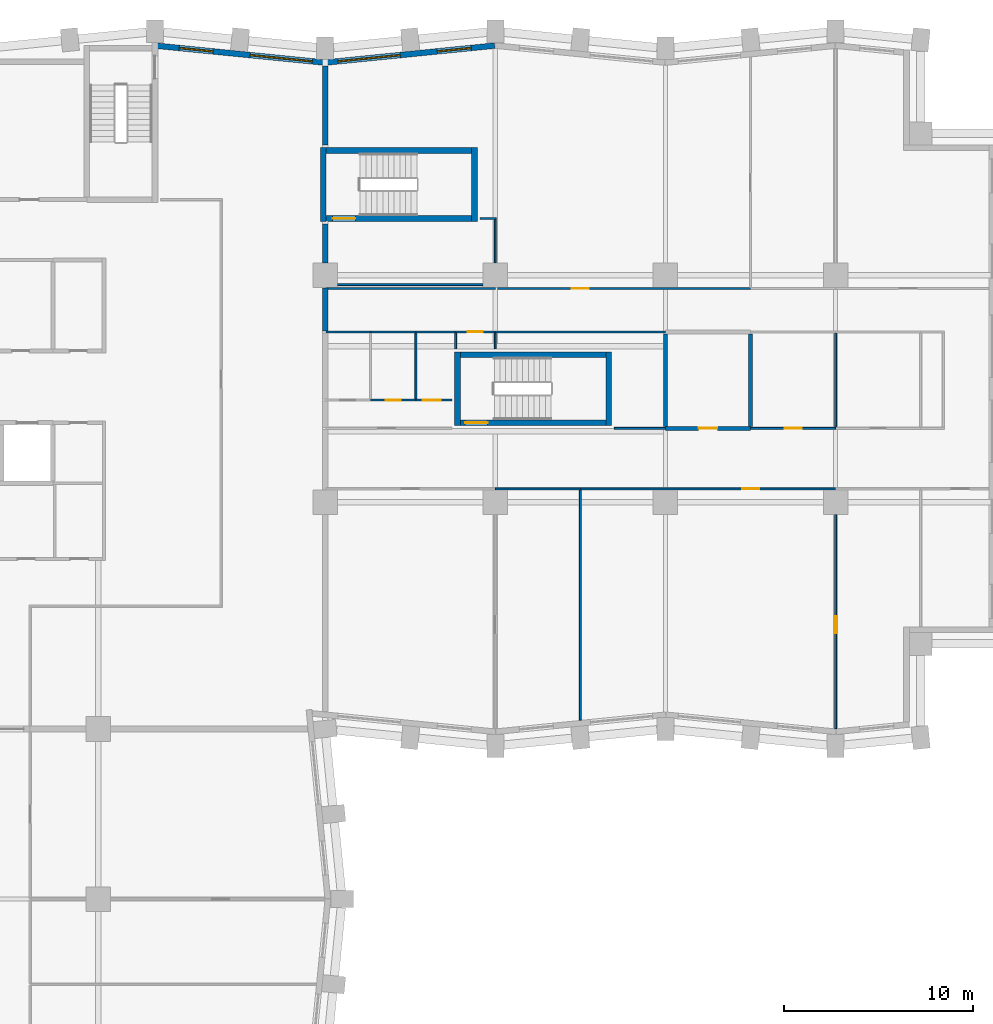
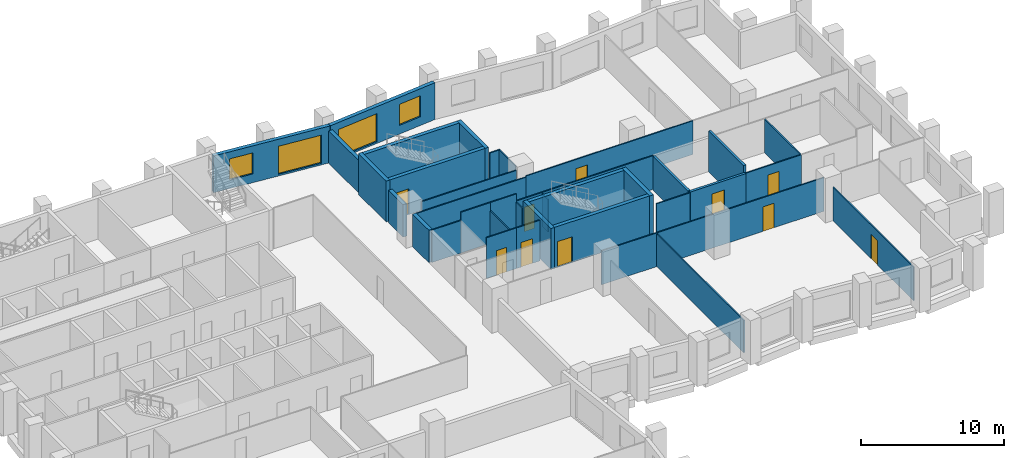
# One storey, part 7 of 11: 38 walls, 10 doors, 4 windows, 14 openings.
"""IFC4 building model written with IfcOpenShell, lengths in metres."""

from ifc_helpers import new_model, si_unit, direction, frame, frame_2d, origin, place, context, subcontext, project, spatial, rectangle, extrude, material, layer, layer_set, type_object, element, fill, save


model = new_model("IFC4")

# Units and contexts
model_context = context("Model", 3, precision=1e-05, world=origin(), true_north=direction((0.0, 1.0)))
body_context = subcontext(model_context, "Body", "Model", "MODEL_VIEW")
ifc_project = project(units=[si_unit("LENGTHUNIT", "METRE"), si_unit("AREAUNIT", "SQUARE_METRE"), si_unit("VOLUMEUNIT", "CUBIC_METRE"), si_unit("PLANEANGLEUNIT", "RADIAN"), si_unit("MASSUNIT", "GRAM", prefix="KILO")], contexts=[model_context])

# Site, building, storey
site_placement = place(None, origin())
site = spatial("IfcSite", under=ifc_project, at=site_placement, CompositionType="ELEMENT")
building_placement = place(site_placement, origin())
building = spatial("IfcBuilding", under=site, at=building_placement, Name="Brondeck Convention Tower", CompositionType="ELEMENT")
storey_placement = place(building_placement, frame((0.0, 0.0, 92.300048828125)))
storey = spatial("IfcBuildingStorey", under=building, at=storey_placement, Name="L21", CompositionType="ELEMENT", Elevation=92.300048828125)

# Walls
ifc_material_1 = material(Name="Concrete compartment wall C30/37", Category="concrete")
ifc_layer_1 = layer(ifc_material_1, 0.300048828125)
ifc_layer_set_1 = layer_set([ifc_layer_1], Name="Compartment wall 300")
wall_type_1 = type_object("IfcWallType", Name="Compartment wall 300", PredefinedType="PARTITIONING", material=ifc_layer_set_1)
wall_1_placement = place(storey_placement, frame((36.0, 48.050048828125, 0.0), z_axis=(0.0, 0.0, 1.0), x_axis=(0.0, 1.0, 0.0)))
element("IfcWall", 1, at=wall_1_placement, inside=storey, type_object=wall_type_1, Name="FLR-L21-W068", PredefinedType="PARTITIONING", context=body_context, shape_type="SweptSolid", body=[
    extrude(rectangle(XDim=2.280029296875, YDim=0.300048828125, at=frame_2d((1.14013671875, 0.0))), origin(), (0.0, 0.0, 1.0), 2.780029296875),
])
wall_2_placement = place(storey_placement, frame((36.0, 51.655029296875, 0.0), z_axis=(0.0, 0.0, 1.0), x_axis=(0.0, 1.0, 0.0)))
element("IfcWall", 2, at=wall_2_placement, inside=storey, type_object=wall_type_1, Name="FLR-L21-W074", PredefinedType="PARTITIONING", context=body_context, shape_type="SweptSolid", body=[
    extrude(rectangle(XDim=2.044921875, YDim=0.300048828125, at=frame_2d((1.0224609375, 0.0))), origin(), (0.0, 0.0, 1.0), 2.780029296875),
])
wall_3_placement = place(storey_placement, frame((36.0, 57.89990234375, 0.0), z_axis=(0.0, 0.0, 1.0), x_axis=(0.0, 1.0, 0.0)))
element("IfcWall", 3, at=wall_3_placement, inside=storey, type_object=wall_type_1, Name="FLR-L21-W079", PredefinedType="PARTITIONING", context=body_context, shape_type="SweptSolid", body=[
    extrude(rectangle(XDim=4.175537109375, YDim=0.300048828125, at=frame_2d((2.087890625, 0.0))), origin(), (0.0, 0.0, 1.0), 2.780029296875),
])

# Wall, openings, windows
ifc_material_2 = material(Name="Precast concrete C50/60 bronze finish", Category="concrete")
ifc_layer_2 = layer(ifc_material_2, 0.070068359375, Name="Bronze precast facing")
ifc_material_3 = material(Name="Mineral wool")
ifc_layer_3 = layer(ifc_material_3, 0.159912109375, Name="Insulation")
ifc_material_4 = material(Name="Concrete C35/45", Category="concrete")
ifc_layer_4 = layer(ifc_material_4, 0.070068359375, Name="Backing")
ifc_layer_set_2 = layer_set([ifc_layer_2, ifc_layer_3, ifc_layer_4], Name="External infill wall, precast concrete C50/60 bronze facing")
wall_type_2 = type_object("IfcWallType", Name="External infill wall, precast concrete C50/60 bronze facing", PredefinedType="SOLIDWALL", material=ifc_layer_set_2)
wall_4_placement = place(storey_placement, frame((35.985107421875, 62.244873046875, 0.0), z_axis=(0.0, 0.0, 1.0), x_axis=(0.995037993253, 0.099495688264, 0.0)))
wall_4 = element("IfcWall", 4, at=wall_4_placement, inside=storey, type_object=wall_type_2, Name="ENV-EW-L21-P0-A-N-09", PredefinedType="SOLIDWALL", context=body_context, shape_type="SweptSolid", body=[
    extrude(rectangle(XDim=9.030029296875, YDim=0.300048828125, at=frame_2d((4.51513671875, 0.0))), origin(), (0.0, 0.0, 1.0), 3.14990234375),
])
opening_1_placement = place(wall_4_placement, frame((0.701171875, 0.0, 0.14990234375)))
opening_1 = element("IfcOpeningElement", 5, at=opening_1_placement, cuts=wall_4, Name="Opening W9", PredefinedType="OPENING", context=body_context, shape_type="SweptSolid", body=[
    extrude(rectangle(XDim=3.300048828125, YDim=2.39990234375, at=frame_2d((1.64990234375, 1.199951171875))), frame((0.0, 0.159912109375, 0.0), z_axis=(0.0, -1.0, 0.0), x_axis=(1.0, 0.0, 0.0)), (0.0, 0.0, 1.0), 0.320068359375),
])
opening_2_placement = place(wall_4_placement, frame((5.9736328125, 0.0, 0.75)))
opening_2 = element("IfcOpeningElement", 6, at=opening_2_placement, cuts=wall_4, Name="Opening W10", PredefinedType="OPENING", context=body_context, shape_type="SweptSolid", body=[
    extrude(rectangle(XDim=1.800048828125, YDim=1.800048828125, at=frame_2d((0.89990234375, 0.89990234375))), frame((0.0, 0.159912109375, 0.0), z_axis=(0.0, -1.0, 0.0), x_axis=(1.0, 0.0, 0.0)), (0.0, 0.0, 1.0), 0.320068359375),
])
ifc_material_5 = material(Name="Bronze tinted double glazing", Category="glass")
window_type_1 = type_object("IfcWindowType", Name="Glazed flute window, bronze tinted", PartitioningType="SINGLE_PANEL", PredefinedType="WINDOW", material=ifc_material_5)
window_1_placement = place(opening_1_placement, origin())
window_1 = element("IfcWindow", 7, at=window_1_placement, inside=storey, type_object=window_type_1, Name="ENV-WN-L21-P0-A-N-08", OverallHeight=2.39990234375, OverallWidth=3.300048828125, PartitioningType="SINGLE_PANEL", PredefinedType="WINDOW", context=body_context, shape_type="SweptSolid", body=[
    extrude(rectangle(XDim=3.300048828125, YDim=2.39990234375, at=frame_2d((1.64990234375, 1.199951171875))), frame((0.0, 0.030029296875, 0.0), z_axis=(0.0, -1.0, 0.0), x_axis=(1.0, 0.0, 0.0)), (0.0, 0.0, 1.0), 0.06005859375),
])
fill(opening_1, window_1)
window_type_2 = type_object("IfcWindowType", Name="Punched window, bronze tinted", PartitioningType="SINGLE_PANEL", PredefinedType="WINDOW", material=ifc_material_5)
window_2_placement = place(opening_2_placement, origin())
window_2 = element("IfcWindow", 8, at=window_2_placement, inside=storey, type_object=window_type_2, Name="ENV-WN-L21-P0-A-N-09", OverallHeight=1.800048828125, OverallWidth=1.800048828125, PartitioningType="SINGLE_PANEL", PredefinedType="WINDOW", context=body_context, shape_type="SweptSolid", body=[
    extrude(rectangle(XDim=1.800048828125, YDim=1.800048828125, at=frame_2d((0.89990234375, 0.89990234375))), frame((0.0, 0.030029296875, 0.0), z_axis=(0.0, -1.0, 0.0), x_axis=(1.0, 0.0, 0.0)), (0.0, 0.0, 1.0), 0.06005859375),
])
fill(opening_2, window_2)

wall_5_placement = place(storey_placement, frame((27.07470703125, 63.138916015625, 0.0), z_axis=(0.0, 0.0, 1.0), x_axis=(0.995036108601, -0.099514534519, 0.0)))
wall_5 = element("IfcWall", 9, at=wall_5_placement, inside=storey, type_object=wall_type_2, Name="ENV-EW-L21-P0-A-N-07", PredefinedType="SOLIDWALL", context=body_context, shape_type="SweptSolid", body=[
    extrude(rectangle(XDim=8.93994140625, YDim=0.300048828125, at=frame_2d((4.469970703125, 0.0))), origin(), (0.0, 0.0, 1.0), 3.14990234375),
])
opening_3_placement = place(wall_5_placement, frame((1.211181640625, 0.0, 0.75)))
opening_3 = element("IfcOpeningElement", 10, at=opening_3_placement, cuts=wall_5, Name="Opening W10", PredefinedType="OPENING", context=body_context, shape_type="SweptSolid", body=[
    extrude(rectangle(XDim=1.800048828125, YDim=1.800048828125, at=frame_2d((0.89990234375, 0.89990234375))), frame((0.0, 0.159912109375, 0.0), z_axis=(0.0, -1.0, 0.0), x_axis=(1.0, 0.0, 0.0)), (0.0, 0.0, 1.0), 0.320068359375),
])
opening_4_placement = place(wall_5_placement, frame((4.983642578125, 0.0, 0.14990234375)))
opening_4 = element("IfcOpeningElement", 11, at=opening_4_placement, cuts=wall_5, Name="Opening W9", PredefinedType="OPENING", context=body_context, shape_type="SweptSolid", body=[
    extrude(rectangle(XDim=3.300048828125, YDim=2.39990234375, at=frame_2d((1.64990234375, 1.199951171875))), frame((0.0, 0.159912109375, 0.0), z_axis=(0.0, -1.0, 0.0), x_axis=(1.0, 0.0, 0.0)), (0.0, 0.0, 1.0), 0.320068359375),
])
window_3_placement = place(opening_4_placement, origin())
window_3 = element("IfcWindow", 12, at=window_3_placement, inside=storey, type_object=window_type_1, Name="ENV-WN-L21-P0-A-N-07", OverallHeight=2.39990234375, OverallWidth=3.300048828125, PartitioningType="SINGLE_PANEL", PredefinedType="WINDOW", context=body_context, shape_type="SweptSolid", body=[
    extrude(rectangle(XDim=3.300048828125, YDim=2.39990234375, at=frame_2d((1.64990234375, 1.199951171875))), frame((0.0, 0.030029296875, 0.0), z_axis=(0.0, -1.0, 0.0), x_axis=(1.0, 0.0, 0.0)), (0.0, 0.0, 1.0), 0.06005859375),
])
fill(opening_4, window_3)
window_4_placement = place(opening_3_placement, origin())
window_4 = element("IfcWindow", 13, at=window_4_placement, inside=storey, type_object=window_type_2, Name="ENV-WN-L21-P0-A-N-06", OverallHeight=1.800048828125, OverallWidth=1.800048828125, PartitioningType="SINGLE_PANEL", PredefinedType="WINDOW", context=body_context, shape_type="SweptSolid", body=[
    extrude(rectangle(XDim=1.800048828125, YDim=1.800048828125, at=frame_2d((0.89990234375, 0.89990234375))), frame((0.0, 0.030029296875, 0.0), z_axis=(0.0, -1.0, 0.0), x_axis=(1.0, 0.0, 0.0)), (0.0, 0.0, 1.0), 0.06005859375),
])
fill(opening_3, window_4)

# Wall, opening, door
ifc_material_6 = material(Name="Concrete block wall C16/20", Category="concrete")
ifc_layer_5 = layer(ifc_material_6, 0.199951171875)
ifc_layer_set_3 = layer_set([ifc_layer_5], Name="Plant room wall 200")
wall_type_3 = type_object("IfcWallType", Name="Plant room wall 200", PredefinedType="PARTITIONING", material=ifc_layer_set_3)
wall_6_placement = place(storey_placement, frame((54.0, 42.89990234375, 0.0), z_axis=(0.0, 0.0, 1.0), x_axis=(1.0, 0.0, 0.0)))
wall_6 = element("IfcWall", 14, at=wall_6_placement, inside=storey, type_object=wall_type_3, Name="FLR-L21-W041", PredefinedType="PARTITIONING", context=body_context, shape_type="SweptSolid", body=[
    extrude(rectangle(XDim=4.5, YDim=0.199951171875, at=frame_2d((2.25, 0.0))), origin(), (0.0, 0.0, 1.0), 2.8798828125),
])
opening_5_placement = place(wall_6_placement, frame((1.75, 0.0, 0.0)))
opening_5 = element("IfcOpeningElement", 15, at=opening_5_placement, cuts=wall_6, Name="Opening OF-A-007", PredefinedType="OPENING", context=body_context, shape_type="SweptSolid", body=[
    extrude(rectangle(XDim=1.0, YDim=2.10009765625, at=frame_2d((0.5, 1.050048828125))), frame((0.0, 0.10986328125, 0.0), z_axis=(0.0, -1.0, 0.0), x_axis=(1.0, 0.0, 0.0)), (0.0, 0.0, 1.0), 0.219970703125),
])
ifc_material_7 = material(Name="Steel fire door leaf", Category="steel")
door_type_1 = type_object("IfcDoorType", Name="Plant room door 1000", OperationType="NOTDEFINED", PredefinedType="DOOR", material=ifc_material_7)
door_1_placement = place(opening_5_placement, origin())
door_1 = element("IfcDoor", 16, at=door_1_placement, inside=storey, type_object=door_type_1, Name="Door OF-A-007", OperationType="SINGLE_SWING_RIGHT", OverallHeight=2.10009765625, OverallWidth=1.0, PredefinedType="DOOR", context=body_context, shape_type="SweptSolid", body=[
    extrude(rectangle(XDim=1.0, YDim=2.10009765625, at=frame_2d((0.5, 1.050048828125))), frame((0.0, 0.02490234375, 0.0), z_axis=(0.0, -1.0, 0.0), x_axis=(1.0, 0.0, 0.0)), (0.0, 0.0, 1.0), 0.050048828125),
])
fill(opening_5, door_1)

# Walls
wall_7_placement = place(storey_placement, frame((54.0, 43.0, 0.0), z_axis=(0.0, 0.0, 1.0), x_axis=(0.0, 1.0, 0.0)))
element("IfcWall", 17, at=wall_7_placement, inside=storey, type_object=wall_type_3, Name="FLR-L21-W047", PredefinedType="PARTITIONING", context=body_context, shape_type="SweptSolid", body=[
    extrude(rectangle(XDim=4.89990234375, YDim=0.199951171875, at=frame_2d((2.449951171875, 0.0))), origin(), (0.0, 0.0, 1.0), 2.8798828125),
])
wall_8_placement = place(storey_placement, frame((58.5, 47.89990234375, 0.0), z_axis=(0.0, 0.0, 1.0), x_axis=(0.0, -1.0, 0.0)))
element("IfcWall", 18, at=wall_8_placement, inside=storey, type_object=wall_type_3, Name="FLR-L21-W052", PredefinedType="PARTITIONING", context=body_context, shape_type="SweptSolid", body=[
    extrude(rectangle(XDim=4.89990234375, YDim=0.199951171875, at=frame_2d((2.449951171875, 0.0))), origin(), (0.0, 0.0, 1.0), 3.47998046875),
])

# Wall, opening, door
ifc_material_8 = material(Name="Gypsum board partition on steel studs", Category="steel")
ifc_layer_6 = layer(ifc_material_8, 0.10009765625)
ifc_layer_set_4 = layer_set([ifc_layer_6], Name="Room partition 100")
wall_type_4 = type_object("IfcWallType", Name="Room partition 100", PredefinedType="PARTITIONING", material=ifc_layer_set_4)
wall_9_placement = place(storey_placement, frame((63.0, 38.344970703125, 0.0), z_axis=(0.0, 0.0, 1.0), x_axis=(0.0, -1.0, 0.0)))
wall_9 = element("IfcWall", 19, at=wall_9_placement, inside=storey, type_object=wall_type_4, Name="FLR-L21-W030", PredefinedType="PARTITIONING", context=body_context, shape_type="SweptSolid", body=[
    extrude(rectangle(XDim=11.320556640625, YDim=0.10009765625, at=frame_2d((5.66015625, 0.0))), origin(), (0.0, 0.0, 1.0), 2.8798828125),
])
opening_6_placement = place(wall_9_placement, frame((5.3701171875, 0.0, 0.0)))
opening_6 = element("IfcOpeningElement", 20, at=opening_6_placement, cuts=wall_9, Name="Opening OF-A-013", PredefinedType="OPENING", context=body_context, shape_type="SweptSolid", body=[
    extrude(rectangle(XDim=0.89990234375, YDim=2.10009765625, at=frame_2d((0.449951171875, 1.050048828125))), frame((0.0, 0.06005859375, 0.0), z_axis=(0.0, -1.0, 0.0), x_axis=(1.0, 0.0, 0.0)), (0.0, 0.0, 1.0), 0.1201171875),
])
ifc_material_9 = material(Name="Solid timber door leaf", Category="wood")
door_type_2 = type_object("IfcDoorType", Name="Single door 900", OperationType="NOTDEFINED", PredefinedType="DOOR", material=ifc_material_9)
door_2_placement = place(opening_6_placement, origin())
door_2 = element("IfcDoor", 21, at=door_2_placement, inside=storey, type_object=door_type_2, Name="Door OF-A-013", OperationType="SINGLE_SWING_LEFT", OverallHeight=2.10009765625, OverallWidth=0.89990234375, PredefinedType="DOOR", context=body_context, shape_type="SweptSolid", body=[
    extrude(rectangle(XDim=0.89990234375, YDim=2.10009765625, at=frame_2d((0.449951171875, 1.050048828125))), frame((0.0, 0.02490234375, 0.0), z_axis=(0.0, -1.0, 0.0), x_axis=(1.0, 0.0, 0.0)), (0.0, 0.0, 1.0), 0.050048828125),
])
fill(opening_6, door_2)

# Walls
wall_10_placement = place(storey_placement, frame((49.5, 39.64990234375, 0.0), z_axis=(0.0, 0.0, 1.0), x_axis=(0.0, -1.0, 0.0)))
element("IfcWall", 22, at=wall_10_placement, inside=storey, type_object=wall_type_4, Name="FLR-L21-W031", PredefinedType="PARTITIONING", context=body_context, shape_type="SweptSolid", body=[
    extrude(rectangle(XDim=12.17529296875, YDim=0.10009765625, at=frame_2d((6.087646484375, 0.0))), origin(), (0.0, 0.0, 1.0), 2.780029296875),
])
wall_11_placement = place(storey_placement, frame((49.5, 39.699951171875, 0.0), z_axis=(0.0, 0.0, 1.0), x_axis=(-1.0, 0.0, 0.0)))
element("IfcWall", 23, at=wall_11_placement, inside=storey, type_object=wall_type_4, Name="FLR-L21-W034", PredefinedType="PARTITIONING", context=body_context, shape_type="SweptSolid", body=[
    extrude(rectangle(XDim=4.5, YDim=0.10009765625, at=frame_2d((2.25, 0.0))), origin(), (0.0, 0.0, 1.0), 2.8798828125),
])

# Wall, opening, door
wall_12_placement = place(storey_placement, frame((63.0, 39.699951171875, 0.0), z_axis=(0.0, 0.0, 1.0), x_axis=(-1.0, 0.0, 0.0)))
wall_12 = element("IfcWall", 24, at=wall_12_placement, inside=storey, type_object=wall_type_4, Name="FLR-L21-W035", PredefinedType="PARTITIONING", context=body_context, shape_type="SweptSolid", body=[
    extrude(rectangle(XDim=13.5, YDim=0.10009765625, at=frame_2d((6.75, 0.0))), origin(), (0.0, 0.0, 1.0), 2.8798828125),
])
opening_7_placement = place(wall_12_placement, frame((4.050048828125, 0.0, 0.0)))
opening_7 = element("IfcOpeningElement", 25, at=opening_7_placement, cuts=wall_12, Name="Opening OF-A-012", PredefinedType="OPENING", context=body_context, shape_type="SweptSolid", body=[
    extrude(rectangle(XDim=0.89990234375, YDim=2.10009765625, at=frame_2d((0.449951171875, 1.050048828125))), frame((0.0, 0.06005859375, 0.0), z_axis=(0.0, -1.0, 0.0), x_axis=(1.0, 0.0, 0.0)), (0.0, 0.0, 1.0), 0.1201171875),
])
door_3_placement = place(opening_7_placement, origin())
door_3 = element("IfcDoor", 26, at=door_3_placement, inside=storey, type_object=door_type_2, Name="Door OF-A-012", OperationType="SINGLE_SWING_LEFT", OverallHeight=2.10009765625, OverallWidth=0.89990234375, PredefinedType="DOOR", context=body_context, shape_type="SweptSolid", body=[
    extrude(rectangle(XDim=0.89990234375, YDim=2.10009765625, at=frame_2d((0.449951171875, 1.050048828125))), frame((0.0, 0.02490234375, 0.0), z_axis=(0.0, -1.0, 0.0), x_axis=(1.0, 0.0, 0.0)), (0.0, 0.0, 1.0), 0.050048828125),
])
fill(opening_7, door_3)

# Wall
wall_13_placement = place(storey_placement, frame((51.300048828125, 42.89990234375, 0.0), z_axis=(0.0, 0.0, 1.0), x_axis=(1.0, 0.0, 0.0)))
element("IfcWall", 27, at=wall_13_placement, inside=storey, type_object=wall_type_4, Name="FLR-L21-W040", PredefinedType="PARTITIONING", context=body_context, shape_type="SweptSolid", body=[
    extrude(rectangle(XDim=2.699951171875, YDim=0.10009765625, at=frame_2d((1.35009765625, 0.0))), origin(), (0.0, 0.0, 1.0), 2.780029296875),
])

# Wall, opening, door
wall_14_placement = place(storey_placement, frame((58.5, 42.89990234375, 0.0), z_axis=(0.0, 0.0, 1.0), x_axis=(1.0, 0.0, 0.0)))
wall_14 = element("IfcWall", 28, at=wall_14_placement, inside=storey, type_object=wall_type_4, Name="FLR-L21-W042", PredefinedType="PARTITIONING", context=body_context, shape_type="SweptSolid", body=[
    extrude(rectangle(XDim=4.5, YDim=0.10009765625, at=frame_2d((2.25, 0.0))), origin(), (0.0, 0.0, 1.0), 2.8798828125),
])
opening_8_placement = place(wall_14_placement, frame((1.800048828125, 0.0, 0.0)))
opening_8 = element("IfcOpeningElement", 29, at=opening_8_placement, cuts=wall_14, Name="Opening OF-A-008", PredefinedType="OPENING", context=body_context, shape_type="SweptSolid", body=[
    extrude(rectangle(XDim=0.89990234375, YDim=2.10009765625, at=frame_2d((0.449951171875, 1.050048828125))), frame((0.0, 0.06005859375, 0.0), z_axis=(0.0, -1.0, 0.0), x_axis=(1.0, 0.0, 0.0)), (0.0, 0.0, 1.0), 0.1201171875),
])
door_4_placement = place(opening_8_placement, origin())
door_4 = element("IfcDoor", 30, at=door_4_placement, inside=storey, type_object=door_type_2, Name="Door OF-A-008", OperationType="SINGLE_SWING_LEFT", OverallHeight=2.10009765625, OverallWidth=0.89990234375, PredefinedType="DOOR", context=body_context, shape_type="SweptSolid", body=[
    extrude(rectangle(XDim=0.89990234375, YDim=2.10009765625, at=frame_2d((0.449951171875, 1.050048828125))), frame((0.0, 0.02490234375, 0.0), z_axis=(0.0, -1.0, 0.0), x_axis=(1.0, 0.0, 0.0)), (0.0, 0.0, 1.0), 0.050048828125),
])
fill(opening_8, door_4)

wall_15_placement = place(storey_placement, frame((38.39990234375, 44.39990234375, 0.0), z_axis=(0.0, 0.0, 1.0), x_axis=(1.0, 0.0, 0.0)))
wall_15 = element("IfcWall", 31, at=wall_15_placement, inside=storey, type_object=wall_type_4, Name="FLR-L21-W049", PredefinedType="PARTITIONING", context=body_context, shape_type="SweptSolid", body=[
    extrude(rectangle(XDim=2.400146484375, YDim=0.10009765625, at=frame_2d((1.2001953125, 0.0))), origin(), (0.0, 0.0, 1.0), 3.47998046875),
])
opening_9_placement = place(wall_15_placement, frame((0.800048828125, 0.0, 0.0)))
opening_9 = element("IfcOpeningElement", 32, at=opening_9_placement, cuts=wall_15, Name="Opening OF-A-004", PredefinedType="OPENING", context=body_context, shape_type="SweptSolid", body=[
    extrude(rectangle(XDim=0.800048828125, YDim=2.10009765625, at=frame_2d((0.39990234375, 1.050048828125))), frame((0.0, 0.06005859375, 0.0), z_axis=(0.0, -1.0, 0.0), x_axis=(1.0, 0.0, 0.0)), (0.0, 0.0, 1.0), 0.1201171875),
])
door_type_3 = type_object("IfcDoorType", Name="En-suite door 800", OperationType="NOTDEFINED", PredefinedType="DOOR", material=ifc_material_9)
door_5_placement = place(opening_9_placement, origin())
door_5 = element("IfcDoor", 33, at=door_5_placement, inside=storey, type_object=door_type_3, Name="Door OF-A-004", OperationType="SINGLE_SWING_RIGHT", OverallHeight=2.10009765625, OverallWidth=0.800048828125, PredefinedType="DOOR", context=body_context, shape_type="SweptSolid", body=[
    extrude(rectangle(XDim=0.800048828125, YDim=2.10009765625, at=frame_2d((0.39990234375, 1.050048828125))), frame((0.0, 0.02490234375, 0.0), z_axis=(0.0, -1.0, 0.0), x_axis=(1.0, 0.0, 0.0)), (0.0, 0.0, 1.0), 0.050048828125),
])
fill(opening_9, door_5)

wall_16_placement = place(storey_placement, frame((40.800048828125, 44.39990234375, 0.0), z_axis=(0.0, 0.0, 1.0), x_axis=(1.0, 0.0, 0.0)))
wall_16 = element("IfcWall", 34, at=wall_16_placement, inside=storey, type_object=wall_type_4, Name="FLR-L21-W050", PredefinedType="PARTITIONING", context=body_context, shape_type="SweptSolid", body=[
    extrude(rectangle(XDim=1.89990234375, YDim=0.10009765625, at=frame_2d((0.949951171875, 0.0))), origin(), (0.0, 0.0, 1.0), 3.47998046875),
])
opening_10_placement = place(wall_16_placement, frame((0.375, 0.0, 0.0)))
opening_10 = element("IfcOpeningElement", 35, at=opening_10_placement, cuts=wall_16, Name="Opening OF-A-005", PredefinedType="OPENING", context=body_context, shape_type="SweptSolid", body=[
    extrude(rectangle(XDim=0.949951171875, YDim=2.10009765625, at=frame_2d((0.47509765625, 1.050048828125))), frame((0.0, 0.06005859375, 0.0), z_axis=(0.0, -1.0, 0.0), x_axis=(1.0, 0.0, 0.0)), (0.0, 0.0, 1.0), 0.1201171875),
])
door_type_4 = type_object("IfcDoorType", Name="Accessible door 950", OperationType="NOTDEFINED", PredefinedType="DOOR", material=ifc_material_9)
door_6_placement = place(opening_10_placement, origin())
door_6 = element("IfcDoor", 36, at=door_6_placement, inside=storey, type_object=door_type_4, Name="Door OF-A-005", OperationType="SINGLE_SWING_LEFT", OverallHeight=2.10009765625, OverallWidth=0.949951171875, PredefinedType="DOOR", context=body_context, shape_type="SweptSolid", body=[
    extrude(rectangle(XDim=0.949951171875, YDim=2.10009765625, at=frame_2d((0.47509765625, 1.050048828125))), frame((0.0, 0.02490234375, 0.0), z_axis=(0.0, -1.0, 0.0), x_axis=(1.0, 0.0, 0.0)), (0.0, 0.0, 1.0), 0.050048828125),
])
fill(opening_10, door_6)

# Walls
wall_17_placement = place(storey_placement, frame((40.800048828125, 47.949951171875, 0.0), z_axis=(0.0, 0.0, 1.0), x_axis=(0.0, -1.0, 0.0)))
element("IfcWall", 37, at=wall_17_placement, inside=storey, type_object=wall_type_4, Name="FLR-L21-W054", PredefinedType="PARTITIONING", context=body_context, shape_type="SweptSolid", body=[
    extrude(rectangle(XDim=3.5, YDim=0.10009765625, at=frame_2d((1.75, 0.0))), origin(), (0.0, 0.0, 1.0), 2.780029296875),
])
for number, where, z_axis, x_axis, name in (
    (38, (42.89990234375, 47.949951171875, 0.0), (0.0, 0.0, 1.0), (0.0, -1.0, 0.0), "FLR-L21-W055"),
    (39, (45.0, 47.949951171875, 0.0), (0.0, 0.0, 1.0), (0.0, -1.0, 0.0), "FLR-L21-W056"),
):
    element("IfcWall", number, at=place(storey_placement, frame(where, z_axis=z_axis, x_axis=x_axis)), inside=storey, type_object=wall_type_4, Name=name, PredefinedType="PARTITIONING", context=body_context, shape_type="SweptSolid", body=[
        extrude(rectangle(XDim=0.849853515625, YDim=0.10009765625, at=frame_2d((0.4248046875, 0.0))), origin(), (0.0, 0.0, 1.0), 2.780029296875),
    ])
wall_18_placement = place(storey_placement, frame((63.0, 47.949951171875, 0.0), z_axis=(0.0, 0.0, 1.0), x_axis=(0.0, -1.0, 0.0)))
element("IfcWall", 40, at=wall_18_placement, inside=storey, type_object=wall_type_4, Name="FLR-L21-W057", PredefinedType="PARTITIONING", context=body_context, shape_type="SweptSolid", body=[
    extrude(rectangle(XDim=5.0, YDim=0.10009765625, at=frame_2d((2.5, 0.0))), origin(), (0.0, 0.0, 1.0), 2.8798828125),
])
wall_19_placement = place(storey_placement, frame((38.39990234375, 48.0, 0.0), z_axis=(0.0, 0.0, 1.0), x_axis=(-1.0, 0.0, 0.0)))
element("IfcWall", 41, at=wall_19_placement, inside=storey, type_object=wall_type_4, Name="FLR-L21-W059", PredefinedType="PARTITIONING", context=body_context, shape_type="SweptSolid", body=[
    extrude(rectangle(XDim=2.349853515625, YDim=0.10009765625, at=frame_2d((1.1748046875, 0.0))), origin(), (0.0, 0.0, 1.0), 2.780029296875),
])
wall_20_placement = place(storey_placement, frame((40.800048828125, 48.0, 0.0), z_axis=(0.0, 0.0, 1.0), x_axis=(-1.0, 0.0, 0.0)))
element("IfcWall", 42, at=wall_20_placement, inside=storey, type_object=wall_type_4, Name="FLR-L21-W060", PredefinedType="PARTITIONING", context=body_context, shape_type="SweptSolid", body=[
    extrude(rectangle(XDim=2.400146484375, YDim=0.10009765625, at=frame_2d((1.2001953125, 0.0))), origin(), (0.0, 0.0, 1.0), 3.47998046875),
])
wall_21_placement = place(storey_placement, frame((42.89990234375, 48.0, 0.0), z_axis=(0.0, 0.0, 1.0), x_axis=(-1.0, 0.0, 0.0)))
element("IfcWall", 43, at=wall_21_placement, inside=storey, type_object=wall_type_4, Name="FLR-L21-W061", PredefinedType="PARTITIONING", context=body_context, shape_type="SweptSolid", body=[
    extrude(rectangle(XDim=2.099853515625, YDim=0.10009765625, at=frame_2d((1.0498046875, 0.0))), origin(), (0.0, 0.0, 1.0), 3.47998046875),
])

# Wall, opening, door
wall_22_placement = place(storey_placement, frame((45.0, 48.0, 0.0), z_axis=(0.0, 0.0, 1.0), x_axis=(-1.0, 0.0, 0.0)))
wall_22 = element("IfcWall", 44, at=wall_22_placement, inside=storey, type_object=wall_type_4, Name="FLR-L21-W062", PredefinedType="PARTITIONING", context=body_context, shape_type="SweptSolid", body=[
    extrude(rectangle(XDim=2.10009765625, YDim=0.10009765625, at=frame_2d((1.050048828125, 0.0))), origin(), (0.0, 0.0, 1.0), 2.8798828125),
])
opening_11_placement = place(wall_22_placement, frame((0.64990234375, 0.0, 0.0)))
opening_11 = element("IfcOpeningElement", 45, at=opening_11_placement, cuts=wall_22, Name="Opening OF-A-006", PredefinedType="OPENING", context=body_context, shape_type="SweptSolid", body=[
    extrude(rectangle(XDim=0.800048828125, YDim=2.10009765625, at=frame_2d((0.39990234375, 1.050048828125))), frame((0.0, 0.06005859375, 0.0), z_axis=(0.0, -1.0, 0.0), x_axis=(1.0, 0.0, 0.0)), (0.0, 0.0, 1.0), 0.1201171875),
])
ifc_material_10 = material(Name="Steel service door leaf", Category="steel")
door_type_5 = type_object("IfcDoorType", Name="Service door 800", OperationType="NOTDEFINED", PredefinedType="DOOR", material=ifc_material_10)
door_7_placement = place(opening_11_placement, origin())
door_7 = element("IfcDoor", 46, at=door_7_placement, inside=storey, type_object=door_type_5, Name="Door OF-A-006", OperationType="SINGLE_SWING_LEFT", OverallHeight=2.10009765625, OverallWidth=0.800048828125, PredefinedType="DOOR", context=body_context, shape_type="SweptSolid", body=[
    extrude(rectangle(XDim=0.800048828125, YDim=2.10009765625, at=frame_2d((0.39990234375, 1.050048828125))), frame((0.0, 0.02490234375, 0.0), z_axis=(0.0, -1.0, 0.0), x_axis=(1.0, 0.0, 0.0)), (0.0, 0.0, 1.0), 0.050048828125),
])
fill(opening_11, door_7)

# Walls
wall_23_placement = place(storey_placement, frame((54.0, 48.0, 0.0), z_axis=(0.0, 0.0, 1.0), x_axis=(-1.0, 0.0, 0.0)))
element("IfcWall", 47, at=wall_23_placement, inside=storey, type_object=wall_type_4, Name="FLR-L21-W063", PredefinedType="PARTITIONING", context=body_context, shape_type="SweptSolid", body=[
    extrude(rectangle(XDim=9.0, YDim=0.10009765625, at=frame_2d((4.5, 0.0))), origin(), (0.0, 0.0, 1.0), 2.8798828125),
])
wall_24_placement = place(storey_placement, frame((36.050048828125, 50.300048828125, 0.0), z_axis=(0.0, 0.0, 1.0), x_axis=(1.0, 0.0, 0.0)))
element("IfcWall", 48, at=wall_24_placement, inside=storey, type_object=wall_type_4, Name="FLR-L21-W069", PredefinedType="PARTITIONING", context=body_context, shape_type="SweptSolid", body=[
    extrude(rectangle(XDim=8.949951171875, YDim=0.10009765625, at=frame_2d((4.47509765625, 0.0))), origin(), (0.0, 0.0, 1.0), 2.780029296875),
])

# Wall, opening, door
wall_25_placement = place(storey_placement, frame((45.0, 50.300048828125, 0.0), z_axis=(0.0, 0.0, 1.0), x_axis=(1.0, 0.0, 0.0)))
wall_25 = element("IfcWall", 49, at=wall_25_placement, inside=storey, type_object=wall_type_4, Name="FLR-L21-W070", PredefinedType="PARTITIONING", context=body_context, shape_type="SweptSolid", body=[
    extrude(rectangle(XDim=13.5, YDim=0.10009765625, at=frame_2d((6.75, 0.0))), origin(), (0.0, 0.0, 1.0), 2.8798828125),
])
opening_12_placement = place(wall_25_placement, frame((4.050048828125, 0.0, 0.0)))
opening_12 = element("IfcOpeningElement", 50, at=opening_12_placement, cuts=wall_25, Name="Opening OF-A-015", PredefinedType="OPENING", context=body_context, shape_type="SweptSolid", body=[
    extrude(rectangle(XDim=0.89990234375, YDim=2.10009765625, at=frame_2d((0.449951171875, 1.050048828125))), frame((0.0, 0.06005859375, 0.0), z_axis=(0.0, -1.0, 0.0), x_axis=(1.0, 0.0, 0.0)), (0.0, 0.0, 1.0), 0.1201171875),
])
door_8_placement = place(opening_12_placement, origin())
door_8 = element("IfcDoor", 51, at=door_8_placement, inside=storey, type_object=door_type_2, Name="Door OF-A-015", OperationType="SINGLE_SWING_LEFT", OverallHeight=2.10009765625, OverallWidth=0.89990234375, PredefinedType="DOOR", context=body_context, shape_type="SweptSolid", body=[
    extrude(rectangle(XDim=0.89990234375, YDim=2.10009765625, at=frame_2d((0.449951171875, 1.050048828125))), frame((0.0, 0.02490234375, 0.0), z_axis=(0.0, -1.0, 0.0), x_axis=(1.0, 0.0, 0.0)), (0.0, 0.0, 1.0), 0.050048828125),
])
fill(opening_12, door_8)

# Walls
wall_26_placement = place(storey_placement, frame((44.344970703125, 50.5, 0.0), z_axis=(0.0, 0.0, 1.0), x_axis=(-1.0, 0.0, 0.0)))
element("IfcWall", 52, at=wall_26_placement, inside=storey, type_object=wall_type_4, Name="FLR-L21-W073", PredefinedType="PARTITIONING", context=body_context, shape_type="SweptSolid", body=[
    extrude(rectangle(XDim=7.68994140625, YDim=0.10009765625, at=frame_2d((3.844970703125, 0.0))), origin(), (0.0, 0.0, 1.0), 3.47998046875),
])
wall_27_placement = place(storey_placement, frame((45.0, 53.949951171875, 0.0), z_axis=(0.0, 0.0, 1.0), x_axis=(0.0, -1.0, 0.0)))
element("IfcWall", 53, at=wall_27_placement, inside=storey, type_object=wall_type_4, Name="FLR-L21-W075", PredefinedType="PARTITIONING", context=body_context, shape_type="SweptSolid", body=[
    extrude(rectangle(XDim=2.294921875, YDim=0.10009765625, at=frame_2d((1.1474609375, 0.0))), origin(), (0.0, 0.0, 1.0), 2.8798828125),
])
wall_28_placement = place(storey_placement, frame((44.199951171875, 54.0, 0.0), z_axis=(0.0, 0.0, 1.0), x_axis=(1.0, 0.0, 0.0)))
element("IfcWall", 54, at=wall_28_placement, inside=storey, type_object=wall_type_4, Name="FLR-L21-W076", PredefinedType="PARTITIONING", context=body_context, shape_type="SweptSolid", body=[
    extrude(rectangle(XDim=0.85009765625, YDim=0.10009765625, at=frame_2d((0.425048828125, 0.0))), origin(), (0.0, 0.0, 1.0), 2.8798828125),
])

# Wall, opening, door
ifc_material_11 = material(Name="Concrete C70/85", Category="concrete")
ifc_layer_7 = layer(ifc_material_11, 0.300048828125)
ifc_layer_set_5 = layer_set([ifc_layer_7], Name="Stair enclosure wall 300 Concrete C70/85")
wall_type_5 = type_object("IfcWallType", Name="Stair enclosure wall 300 Concrete C70/85", PredefinedType="SHEAR", material=ifc_layer_set_5)
wall_29_placement = place(storey_placement, frame((43.14990234375, 43.199951171875, 0.0), z_axis=(0.0, 0.0, 1.0), x_axis=(1.0, 0.0, 0.0)))
wall_29 = element("IfcWall", 55, at=wall_29_placement, inside=storey, type_object=wall_type_5, Name="L21 core wall", PredefinedType="SHEAR", context=body_context, shape_type="SweptSolid", body=[
    extrude(rectangle(XDim=7.7001953125, YDim=0.300048828125, at=frame_2d((3.85009765625, 0.0))), origin(), (0.0, 0.0, 1.0), 3.5),
])
opening_13_placement = place(wall_29_placement, frame((0.25, 0.0, 0.0)))
opening_13 = element("IfcOpeningElement", 56, at=opening_13_placement, cuts=wall_29, Name="Opening C14-21", PredefinedType="OPENING", context=body_context, shape_type="SweptSolid", body=[
    extrude(rectangle(XDim=1.199951171875, YDim=2.199951171875, at=frame_2d((0.60009765625, 1.10009765625))), frame((0.0, 0.159912109375, 0.0), z_axis=(0.0, -1.0, 0.0), x_axis=(1.0, 0.0, 0.0)), (0.0, 0.0, 1.0), 0.320068359375),
])
ifc_material_12 = material(Name="Steel fire door", Category="steel")
door_type_6 = type_object("IfcDoorType", Name="Stair door 1200x2200 EI 90", OperationType="NOTDEFINED", PredefinedType="DOOR", material=ifc_material_12)
door_9_placement = place(opening_13_placement, origin())
door_9 = element("IfcDoor", 57, at=door_9_placement, inside=storey, type_object=door_type_6, Name="L21 Stair door ST-AF", OperationType="SINGLE_SWING_RIGHT", OverallHeight=2.199951171875, OverallWidth=1.199951171875, PredefinedType="DOOR", context=body_context, shape_type="SweptSolid", body=[
    extrude(rectangle(XDim=1.199951171875, YDim=2.199951171875, at=frame_2d((0.60009765625, 1.10009765625))), frame((0.0, 0.02490234375, 0.0), z_axis=(0.0, -1.0, 0.0), x_axis=(1.0, 0.0, 0.0)), (0.0, 0.0, 1.0), 0.050048828125),
])
fill(opening_13, door_9)

# Wall
wall_30_placement = place(storey_placement, frame((43.14990234375, 46.800048828125, 0.0), z_axis=(0.0, 0.0, 1.0), x_axis=(1.0, 0.0, 0.0)))
element("IfcWall", 58, at=wall_30_placement, inside=storey, type_object=wall_type_5, Name="L21 core wall", PredefinedType="SHEAR", context=body_context, shape_type="SweptSolid", body=[
    extrude(rectangle(XDim=7.7001953125, YDim=0.300048828125, at=frame_2d((3.85009765625, 0.0))), origin(), (0.0, 0.0, 1.0), 3.5),
])

# Wall, opening, door
wall_31_placement = place(storey_placement, frame((36.050048828125, 54.0, 0.0), z_axis=(0.0, 0.0, 1.0), x_axis=(1.0, 0.0, 0.0)))
wall_31 = element("IfcWall", 59, at=wall_31_placement, inside=storey, type_object=wall_type_5, Name="L21 core wall", PredefinedType="SHEAR", context=body_context, shape_type="SweptSolid", body=[
    extrude(rectangle(XDim=7.699951171875, YDim=0.300048828125, at=frame_2d((3.85009765625, 0.0))), origin(), (0.0, 0.0, 1.0), 3.5),
])
opening_14_placement = place(wall_31_placement, frame((0.35009765625, 0.0, 0.0)))
opening_14 = element("IfcOpeningElement", 60, at=opening_14_placement, cuts=wall_31, Name="Opening C14-20", PredefinedType="OPENING", context=body_context, shape_type="SweptSolid", body=[
    extrude(rectangle(XDim=1.199951171875, YDim=2.199951171875, at=frame_2d((0.60009765625, 1.10009765625))), frame((0.0, 0.159912109375, 0.0), z_axis=(0.0, -1.0, 0.0), x_axis=(1.0, 0.0, 0.0)), (0.0, 0.0, 1.0), 0.320068359375),
])
door_10_placement = place(opening_14_placement, origin())
door_10 = element("IfcDoor", 61, at=door_10_placement, inside=storey, type_object=door_type_6, Name="L21 Stair door ST-AE", OperationType="SINGLE_SWING_LEFT", OverallHeight=2.199951171875, OverallWidth=1.199951171875, PredefinedType="DOOR", context=body_context, shape_type="SweptSolid", body=[
    extrude(rectangle(XDim=1.199951171875, YDim=2.199951171875, at=frame_2d((0.60009765625, 1.10009765625))), frame((0.0, 0.02490234375, 0.0), z_axis=(0.0, -1.0, 0.0), x_axis=(1.0, 0.0, 0.0)), (0.0, 0.0, 1.0), 0.050048828125),
])
fill(opening_14, door_10)

# Walls
wall_32_placement = place(storey_placement, frame((36.050048828125, 57.60009765625, 0.0), z_axis=(0.0, 0.0, 1.0), x_axis=(1.0, 0.0, 0.0)))
element("IfcWall", 62, at=wall_32_placement, inside=storey, type_object=wall_type_5, Name="L21 core wall", PredefinedType="SHEAR", context=body_context, shape_type="SweptSolid", body=[
    extrude(rectangle(XDim=7.699951171875, YDim=0.300048828125, at=frame_2d((3.85009765625, 0.0))), origin(), (0.0, 0.0, 1.0), 3.5),
])
for number, where, z_axis, x_axis, name in (
    (63, (35.89990234375, 53.85009765625, 0.0), (0.0, 0.0, 1.0), (0.0, 1.0, 0.0), "L21 core wall"),
    (64, (43.0, 43.050048828125, 0.0), (0.0, 0.0, 1.0), (0.0, 1.0, 0.0), "L21 core wall"),
    (65, (43.89990234375, 53.85009765625, 0.0), (0.0, 0.0, 1.0), (0.0, 1.0, 0.0), "L21 core wall"),
    (66, (51.0, 43.050048828125, 0.0), (0.0, 0.0, 1.0), (0.0, 1.0, 0.0), "L21 core wall"),
):
    element("IfcWall", number, at=place(storey_placement, frame(where, z_axis=z_axis, x_axis=x_axis)), inside=storey, type_object=wall_type_5, Name=name, PredefinedType="SHEAR", context=body_context, shape_type="SweptSolid", body=[
        extrude(rectangle(XDim=3.89990234375, YDim=0.300048828125, at=frame_2d((1.949951171875, 0.0))), origin(), (0.0, 0.0, 1.0), 3.5),
    ])

save(model, "model.ifc")
